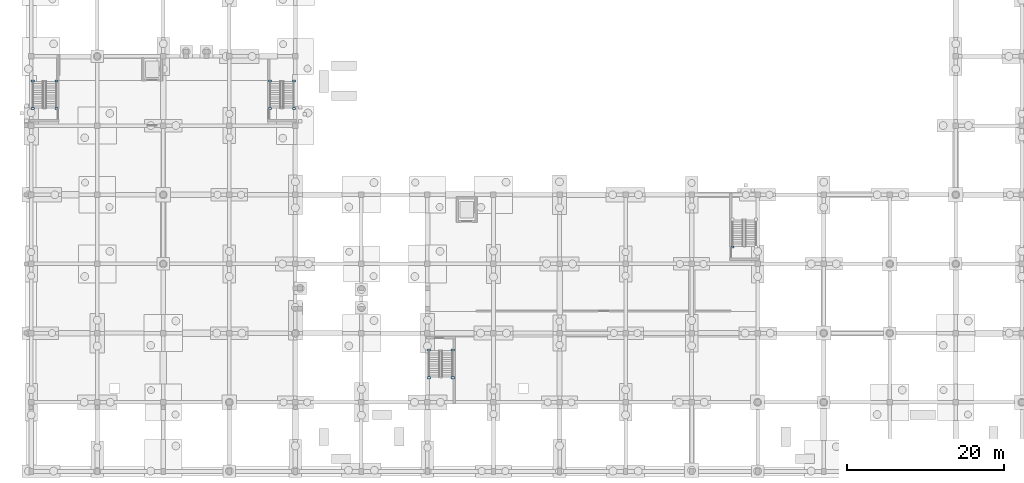
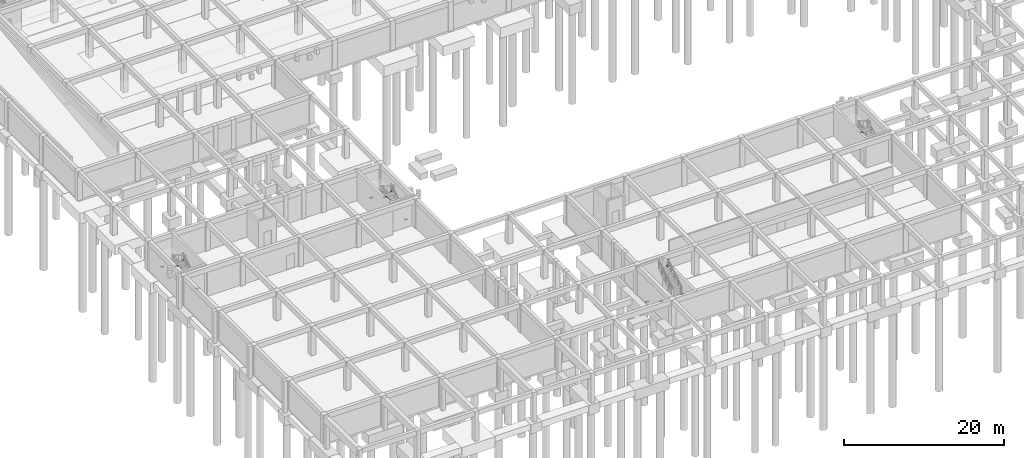
# One storey, part 20 of 41: 13 plates.
"""IFC4 building model written with IfcOpenShell, lengths in metres."""

from ifc_helpers import new_model, si_unit, direction, frame, origin, origin_2d, place, context, subcontext, project, spatial, rectangle, extrude, material, layer, layer_set, type_object, element, save


model = new_model("IFC4")

# Units and contexts
model_context = context("Model", 3, precision=1e-05, world=origin(), true_north=direction((0.0, 1.0)))
body_context = subcontext(model_context, "Body", "Model", "MODEL_VIEW")
ifc_project = project(units=[si_unit("LENGTHUNIT", "METRE"), si_unit("AREAUNIT", "SQUARE_METRE"), si_unit("VOLUMEUNIT", "CUBIC_METRE"), si_unit("PLANEANGLEUNIT", "RADIAN"), si_unit("MASSUNIT", "GRAM", prefix="KILO")], contexts=[model_context])

# Site, building, storey
site_placement = place(None, origin())
site = spatial("IfcSite", under=ifc_project, at=site_placement, CompositionType="ELEMENT")
building_placement = place(site_placement, origin())
building = spatial("IfcBuilding", under=site, at=building_placement, Name="Kemercrest Conservatory and Botanical Centre", CompositionType="ELEMENT")
storey_placement = place(building_placement, frame((0.0, 0.0, -4.5)))
storey = spatial("IfcBuildingStorey", under=building, at=storey_placement, Name="B1", CompositionType="ELEMENT", Elevation=-4.5)

# Plates
ifc_material = material(Name="Steel CSA G40.21 350W", Category="steel")
ifc_layer = layer(ifc_material, 0.030029296875)
ifc_layer_set = layer_set([ifc_layer], Name="Steel CSA G40.21 350W")
plate_type = type_object("IfcPlateType", Name="GN-05", PredefinedType="USERDEFINED", material=ifc_layer_set)
for number, where, z_axis, x_axis, name in (
    (1, (11.2099609375, 54.159912109375, -0.115234375), (0.0, 0.0, 1.0), (1.0, 0.0, 0.0), "Stair stringer base node cap GN-05 #1"),
    (2, (11.2099609375, 57.679931640625, 2.11474609375), (0.0, 0.0, 1.0), (1.0, 0.0, 0.0), "Stair stringer head node cap GN-05 #1"),
    (3, (8.18994140625, 54.159912109375, 4.36474609375), (0.0, 0.0, 1.0), (1.0, 0.0, 0.0), "Stair stringer base node cap GN-05 #2"),
    (4, (8.18994140625, 57.679931640625, 2.134765625), (0.0, 0.0, 1.0), (1.0, 0.0, 0.0), "Stair stringer head node cap GN-05 #2"),
    (5, (41.409912109375, 54.159912109375, -0.115234375), (0.0, 0.0, 1.0), (1.0, 0.0, 0.0), "Stair stringer base node cap GN-05 #5"),
    (6, (41.409912109375, 57.679931640625, 2.11474609375), (0.0, 0.0, 1.0), (1.0, 0.0, 0.0), "Stair stringer head node cap GN-05 #5"),
    (7, (38.389892578125, 54.159912109375, 4.36474609375), (0.0, 0.0, 1.0), (1.0, 0.0, 0.0), "Stair stringer base node cap GN-05 #6"),
    (8, (38.389892578125, 57.679931640625, 2.134765625), (0.0, 0.0, 1.0), (1.0, 0.0, 0.0), "Stair stringer head node cap GN-05 #6"),
    (9, (58.590087890625, 23.43994140625, -0.115234375), (0.0, 0.0, 1.0), (1.0, 0.0, 0.0), "Stair stringer base node cap GN-05 #9"),
    (10, (58.590087890625, 19.919921875, 2.11474609375), (0.0, 0.0, 1.0), (1.0, 0.0, 0.0), "Stair stringer head node cap GN-05 #9"),
    (11, (61.610107421875, 23.43994140625, 4.36474609375), (0.0, 0.0, 1.0), (1.0, 0.0, 0.0), "Stair stringer base node cap GN-05 #10"),
    (12, (61.610107421875, 19.919921875, 2.134765625), (0.0, 0.0, 1.0), (1.0, 0.0, 0.0), "Stair stringer head node cap GN-05 #10"),
    (13, (97.18994140625, 36.56005859375, 4.36474609375), (0.0, 0.0, 1.0), (1.0, 0.0, 0.0), "Stair stringer base node cap GN-05 #16"),
):
    element("IfcPlate", number, at=place(storey_placement, frame(where, z_axis=z_axis, x_axis=x_axis)), inside=storey, type_object=plate_type, Name=name, ObjectType="GUSSET PLATE", PredefinedType="USERDEFINED", context=body_context, shape_type="SweptSolid", body=[
        extrude(rectangle(XDim=0.39990234375, YDim=0.280029296875, at=origin_2d()), origin(), (0.0, 0.0, 1.0), 0.030029296875),
    ])

save(model, "model.ifc")
